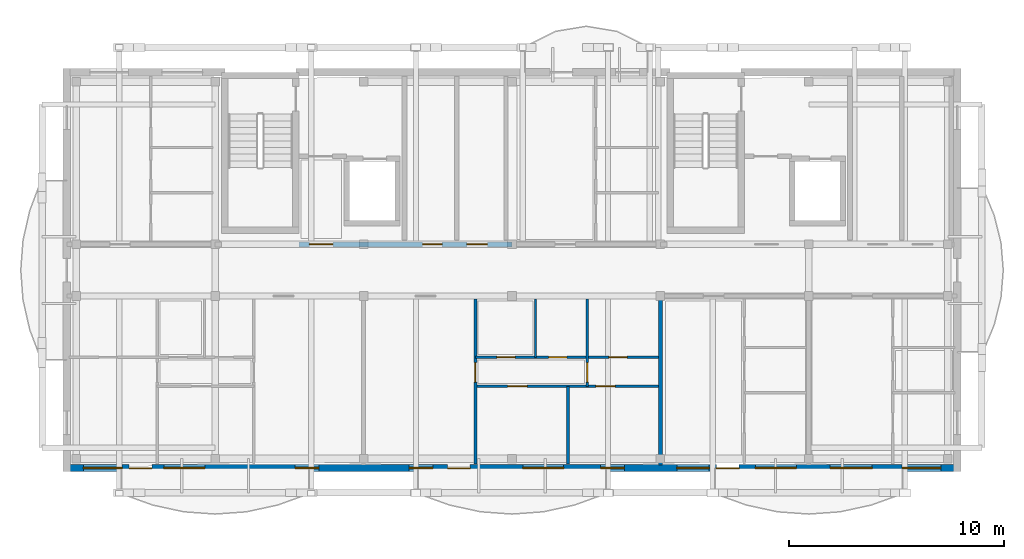
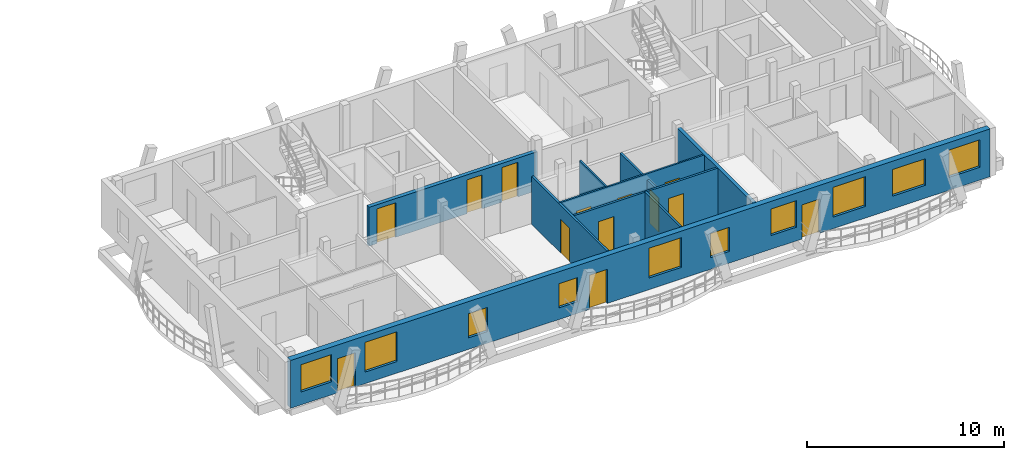
# One storey, part 7 of 18: 13 doors, 10 windows, 9 walls, 23 openings.
"""IFC4 building model written with IfcOpenShell, lengths in metres."""

import ifcopenshell
import ifcopenshell.guid

model = None  # the IFC model being written
_history = None  # IfcOwnerHistory: only IFC2X3 demands one
_inside = {}  # id of a spatial element -> (the spatial element, [elements in it])
_under = {}  # id of a project, library or spatial element -> (it, [spatial elements below it])
_declared = {}  # id of a project -> (the project, [libraries it declares])
_typed = {}  # id of a type object -> (the type object, [elements of that type])
_made_of = {}  # id of a material, layer set ... -> (it, [elements and type objects made of it])


def new_model(schema):
    """Start an empty IFC model of exactly this schema.

    Asked for "IFC4X3", IfcOpenShell would pick the latest addendum, in which some entities
    have other attributes; the version numbers below select the first issue.
    IFC2X3 requires an IfcOwnerHistory on every rooted entity: one is made here for all.
    """
    global model, _history
    if schema == "IFC4X3":
        model = ifcopenshell.file(schema_version=(4, 3, 0, 0))
    else:
        model = ifcopenshell.file(schema=schema)
    _inside.clear()
    _under.clear()
    _declared.clear()
    _typed.clear()
    _made_of.clear()
    _history = None
    if model.schema == "IFC2X3":
        org = make("IfcOrganization", Name="unknown")
        user = make(
            "IfcPersonAndOrganization",
            ThePerson=make("IfcPerson", FamilyName="unknown"),
            TheOrganization=org,
        )
        app = make(
            "IfcApplication",
            ApplicationDeveloper=org,
            Version="unknown",
            ApplicationFullName="unknown",
            ApplicationIdentifier="unknown",
        )
        _history = make(
            "IfcOwnerHistory",
            OwningUser=user,
            OwningApplication=app,
            ChangeAction="ADDED",
            CreationDate=0,
        )
    return model


def make(cls, **values):
    """One entity of the class cls with the attributes given. An attribute that is None is left unset."""
    return model.create_entity(
        cls, **{name: value for name, value in values.items() if value is not None}
    )


def rooted(cls, **values):
    """An entity with a GlobalId (a new one), such as an element, a storey or a relation."""
    return make(cls, GlobalId=ifcopenshell.guid.new(), OwnerHistory=_history, **values)


def si_unit(unit_type, name, prefix=None):
    """IfcSIUnit, for example si_unit("LENGTHUNIT", "METRE", prefix="MILLI")."""
    return make("IfcSIUnit", UnitType=unit_type, Prefix=prefix, Name=name)


def assignment(units):
    """IfcUnitAssignment: the units of a project."""
    return None if units is None else make("IfcUnitAssignment", Units=units)


def point(xyz):
    """IfcCartesianPoint."""
    return None if xyz is None else make("IfcCartesianPoint", Coordinates=xyz)


def direction(xyz):
    """IfcDirection."""
    return None if xyz is None else make("IfcDirection", DirectionRatios=xyz)


def frame(location, z_axis=None, x_axis=None):
    """IfcAxis2Placement3D, a coordinate frame: its origin and axes. An axis left out is left unset."""
    return make(
        "IfcAxis2Placement3D",
        Location=point(location),
        Axis=direction(z_axis),
        RefDirection=direction(x_axis),
    )


def frame_2d(location, x_axis=None):
    """IfcAxis2Placement2D, a coordinate frame in the plane: its origin and x axis."""
    return make(
        "IfcAxis2Placement2D", Location=point(location), RefDirection=direction(x_axis)
    )


def origin():
    """The frame at (0, 0, 0) with its axes left unset."""
    return frame((0.0, 0.0, 0.0))


def origin_with_axes():
    """The frame at (0, 0, 0) with the z axis (0, 0, 1) and the x axis (1, 0, 0) written out."""
    return frame((0.0, 0.0, 0.0), z_axis=(0.0, 0.0, 1.0), x_axis=(1.0, 0.0, 0.0))


def place(relative_to, where):
    """IfcLocalPlacement: puts the frame where relative to a parent placement (None: the world)."""
    return make(
        "IfcLocalPlacement", PlacementRelTo=relative_to, RelativePlacement=where
    )


def context(
    kind, dimensions, precision=None, world=None, true_north=None, identifier=None
):
    """IfcGeometricRepresentationContext, for example the 3D "Model" context."""
    return make(
        "IfcGeometricRepresentationContext",
        ContextIdentifier=identifier,
        ContextType=kind,
        CoordinateSpaceDimension=dimensions,
        Precision=precision,
        WorldCoordinateSystem=world,
        TrueNorth=true_north,
    )


def subcontext(parent, identifier, kind, view, scale=None):
    """IfcGeometricRepresentationSubContext, for example "Body" below "Model"."""
    return make(
        "IfcGeometricRepresentationSubContext",
        ContextIdentifier=identifier,
        ContextType=kind,
        ParentContext=parent,
        TargetScale=scale,
        TargetView=view,
    )


def project(units=None, contexts=None):
    """IfcProject with its units and contexts."""
    return rooted(
        "IfcProject",
        Name="project",
        RepresentationContexts=contexts,
        UnitsInContext=assignment(units),
    )


def spatial(cls, under=None, at=None, **own):
    """A site, building, storey or space (cls), placed at a placement, below another one or the project."""
    s = rooted(cls, ObjectPlacement=at, **own)
    if under is not None:
        _under.setdefault(under.id(), (under, []))[1].append(s)
    return s


def profile(cls, at=None, kind="AREA", **sizes):
    """A parametric profile (cls). Its sizes go by their IFC names, for example OverallWidth=200.0."""
    return make(cls, ProfileType=kind, Position=at, **sizes)


def rectangle(**sizes):
    """IfcRectangleProfileDef."""
    return profile("IfcRectangleProfileDef", **sizes)


def extrude(swept, where, along, depth):
    """IfcExtrudedAreaSolid: the profile swept, set in the frame where, extruded along a direction by depth."""
    return make(
        "IfcExtrudedAreaSolid",
        SweptArea=swept,
        Position=where,
        ExtrudedDirection=direction(along),
        Depth=depth,
    )


def shape(context_of_items, identifier, shape_type, items):
    """IfcShapeRepresentation: the items that make up one representation, for example the "Body"."""
    return make(
        "IfcShapeRepresentation",
        ContextOfItems=context_of_items,
        RepresentationIdentifier=identifier,
        RepresentationType=shape_type,
        Items=items,
    )


def material(Name=None, Category=None):
    """IfcMaterial."""
    return make("IfcMaterial", Name=Name, Category=Category)


def layer(
    of_material, thickness, ventilated=None, Name=None, Category=None, Priority=None
):
    """IfcMaterialLayer: one layer of a wall or slab, of a material (None: an air gap)."""
    return make(
        "IfcMaterialLayer",
        Material=of_material,
        LayerThickness=thickness,
        IsVentilated=ventilated,
        Name=Name,
        Category=Category,
        Priority=Priority,
    )


def layer_set(layers, Name=None):
    """IfcMaterialLayerSet."""
    return make("IfcMaterialLayerSet", MaterialLayers=layers, LayerSetName=Name)


def made_of(thing, what):
    """Note that an element or type object is made of a material, layer set ...; save() writes the relation."""
    if what is not None:
        _made_of.setdefault(what.id(), (what, []))[1].append(thing)
    return thing


def type_object(cls, material=None, **own):
    """A type object (cls), such as IfcWallType, which elements share."""
    return made_of(rooted(cls, **own), material)


def element(
    cls,
    number,
    at=None,
    inside=None,
    cuts=None,
    type_object=None,
    material=None,
    context=None,
    identifier="Body",
    shape_type=None,
    held_by="IfcProductDefinitionShape",
    body=None,
    shapes=None,
    **own,
):
    """One element of the class cls, such as IfcWall. Its Tag is "e" and its number.

    at: its placement. inside: the storey or other place that contains it. cuts: it is an
    opening in that element (IfcRelVoidsElement). A single representation is given by context,
    identifier, shape_type and body (its items); several are given by shapes. held_by: the class
    of the entity that holds the representations. save() writes the other relations.
    """
    e = rooted(cls, Tag="e%d" % number, ObjectPlacement=at, **own)
    if body is not None:
        shapes = [shape(context, identifier, shape_type, body)]
    if shapes is not None:
        e.Representation = make(held_by, Representations=shapes)
    if inside is not None:
        _inside.setdefault(inside.id(), (inside, []))[1].append(e)
    if cuts is not None:
        rooted(
            "IfcRelVoidsElement", RelatingBuildingElement=cuts, RelatedOpeningElement=e
        )
    if type_object is not None:
        _typed.setdefault(type_object.id(), (type_object, []))[1].append(e)
    return made_of(e, material)


def fill(opening, filler):
    """IfcRelFillsElement: the door or window that sits in an opening."""
    return rooted(
        "IfcRelFillsElement",
        RelatingOpeningElement=opening,
        RelatedBuildingElement=filler,
    )


def aggregate(whole, parts):
    """IfcRelAggregates: a whole, such as a stair, and the parts it consists of."""
    return rooted("IfcRelAggregates", RelatingObject=whole, RelatedObjects=parts)


def save(model, path):
    """Write the relations noted so far, then the file.

    IfcRelAggregates (storeys below a building ...), IfcRelContainedInSpatialStructure (elements
    in a storey), IfcRelDefinesByType, IfcRelAssociatesMaterial and IfcRelDeclares: one each for
    every whole, place, type object, material and project.
    """
    for whole, parts in _under.values():
        aggregate(whole, parts)
    for where, things in _inside.values():
        rooted(
            "IfcRelContainedInSpatialStructure",
            RelatedElements=things,
            RelatingStructure=where,
        )
    for kind, things in _typed.values():
        rooted("IfcRelDefinesByType", RelatedObjects=things, RelatingType=kind)
    for what, things in _made_of.values():
        rooted("IfcRelAssociatesMaterial", RelatedObjects=things, RelatingMaterial=what)
    for by, libraries in _declared.values():
        rooted("IfcRelDeclares", RelatingContext=by, RelatedDefinitions=libraries)
    model.write(path)


model = new_model("IFC4")

# Units and contexts
model_context = context("Model", 3, precision=1e-05, world=origin(), true_north=direction((0.0, 1.0)))
body_context = subcontext(model_context, "Body", "Model", "MODEL_VIEW")
ifc_project = project(units=[si_unit("LENGTHUNIT", "METRE"), si_unit("AREAUNIT", "SQUARE_METRE"), si_unit("VOLUMEUNIT", "CUBIC_METRE"), si_unit("PLANEANGLEUNIT", "RADIAN"), si_unit("MASSUNIT", "GRAM", prefix="KILO")], contexts=[model_context])

# Site, building, storey
site_placement = place(None, origin())
site = spatial("IfcSite", under=ifc_project, at=site_placement, CompositionType="ELEMENT")
building_placement = place(site_placement, origin())
building = spatial("IfcBuilding", under=site, at=building_placement, Name="Zavelmont Quarter", CompositionType="ELEMENT")
storey_placement = place(building_placement, frame((0.0, 0.0, 40.0)))
storey = spatial("IfcBuildingStorey", under=building, at=storey_placement, Name="L12", CompositionType="ELEMENT", Elevation=40.0)

# Wall, openings, doors, windows
ifc_material_1 = material(Name="Natural Belgian limestone", Category="masonry")
ifc_layer_1 = layer(ifc_material_1, 0.340087890625)
ifc_layer_set_1 = layer_set([ifc_layer_1], Name="Natural Belgian limestone")
wall_type_1 = type_object("IfcWallType", Name="EW03", PredefinedType="STANDARD", material=ifc_layer_set_1)
wall_1_placement = place(storey_placement, frame((0.159912109375, 0.0, 0.0), z_axis=(0.0, 0.0, 1.0), x_axis=(1.0, 0.0, 0.0)))
wall_1 = element("IfcWall", 1, at=wall_1_placement, inside=storey, type_object=wall_type_1, Name="L12 exterior limestone wall EW03", PredefinedType="STANDARD", context=body_context, shape_type="SweptSolid", body=[
    extrude(rectangle(XDim=41.080078125, YDim=0.340087890625, at=frame_2d((20.5400390625, 0.0))), origin(), (0.0, 0.0, 1.0), 2.969970703125),
])
opening_1_placement = place(wall_1_placement, frame((2.7451171875, 0.0, 0.0)))
opening_1 = element("IfcOpeningElement", 2, at=opening_1_placement, cuts=wall_1, Name="Opening DR04A", PredefinedType="OPENING", context=body_context, shape_type="SweptSolid", body=[
    extrude(rectangle(XDim=1.050048828125, YDim=2.1201171875, at=frame_2d((0.52490234375, 1.06005859375))), frame((0.0, 0.18212890625, 0.0), z_axis=(0.0, -1.0, 0.0), x_axis=(1.0, 0.0, 0.0)), (0.0, 0.0, 1.0), 0.364013671875),
])
opening_2_placement = place(wall_1_placement, frame((17.544921875, 0.0, 0.0)))
opening_2 = element("IfcOpeningElement", 3, at=opening_2_placement, cuts=wall_1, Name="Opening DR04A", PredefinedType="OPENING", context=body_context, shape_type="SweptSolid", body=[
    extrude(rectangle(XDim=1.050048828125, YDim=2.1201171875, at=frame_2d((0.52490234375, 1.06005859375))), frame((0.0, 0.18212890625, 0.0), z_axis=(0.0, -1.0, 0.0), x_axis=(1.0, 0.0, 0.0)), (0.0, 0.0, 1.0), 0.364013671875),
])
opening_3_placement = place(wall_1_placement, frame((30.044921875, 0.0, 0.0)))
opening_3 = element("IfcOpeningElement", 4, at=opening_3_placement, cuts=wall_1, Name="Opening DR04A", PredefinedType="OPENING", context=body_context, shape_type="SweptSolid", body=[
    extrude(rectangle(XDim=1.050048828125, YDim=2.1201171875, at=frame_2d((0.52490234375, 1.06005859375))), frame((0.0, 0.18212890625, 0.0), z_axis=(0.0, -1.0, 0.0), x_axis=(1.0, 0.0, 0.0)), (0.0, 0.0, 1.0), 0.364013671875),
])
opening_4_placement = place(wall_1_placement, frame((0.610107421875, 0.0, 0.800048828125)))
opening_4 = element("IfcOpeningElement", 5, at=opening_4_placement, cuts=wall_1, Name="Opening WN02", PredefinedType="OPENING", context=body_context, shape_type="SweptSolid", body=[
    extrude(rectangle(XDim=1.800048828125, YDim=1.699951171875, at=frame_2d((0.89990234375, 0.85009765625))), frame((0.0, 0.18212890625, 0.0), z_axis=(0.0, -1.0, 0.0), x_axis=(1.0, 0.0, 0.0)), (0.0, 0.0, 1.0), 0.364013671875),
])
opening_5_placement = place(wall_1_placement, frame((4.360107421875, 0.0, 0.719970703125)))
opening_5 = element("IfcOpeningElement", 6, at=opening_5_placement, cuts=wall_1, Name="Opening WN20", PredefinedType="OPENING", context=body_context, shape_type="SweptSolid", body=[
    extrude(rectangle(XDim=1.89990234375, YDim=1.85009765625, at=frame_2d((0.949951171875, 0.925048828125))), frame((0.0, 0.18212890625, 0.0), z_axis=(0.0, -1.0, 0.0), x_axis=(1.0, 0.0, 0.0)), (0.0, 0.0, 1.0), 0.364013671875),
])
opening_6_placement = place(wall_1_placement, frame((10.4599609375, 0.0, 0.719970703125)))
opening_6 = element("IfcOpeningElement", 7, at=opening_6_placement, cuts=wall_1, Name="Opening WN09", PredefinedType="OPENING", context=body_context, shape_type="SweptSolid", body=[
    extrude(rectangle(XDim=1.10009765625, YDim=1.5, at=frame_2d((0.550048828125, 0.75))), frame((0.0, 0.18212890625, 0.0), z_axis=(0.0, -1.0, 0.0), x_axis=(1.0, 0.0, 0.0)), (0.0, 0.0, 1.0), 0.364013671875),
])
opening_7_placement = place(wall_1_placement, frame((15.760009765625, 0.0, 0.719970703125)))
opening_7 = element("IfcOpeningElement", 8, at=opening_7_placement, cuts=wall_1, Name="Opening WN09", PredefinedType="OPENING", context=body_context, shape_type="SweptSolid", body=[
    extrude(rectangle(XDim=1.10009765625, YDim=1.5, at=frame_2d((0.550048828125, 0.75))), frame((0.0, 0.18212890625, 0.0), z_axis=(0.0, -1.0, 0.0), x_axis=(1.0, 0.0, 0.0)), (0.0, 0.0, 1.0), 0.364013671875),
])
opening_8_placement = place(wall_1_placement, frame((21.04248046875, 0.0, 0.719970703125)))
opening_8 = element("IfcOpeningElement", 9, at=opening_8_placement, cuts=wall_1, Name="Opening WN20", PredefinedType="OPENING", context=body_context, shape_type="SweptSolid", body=[
    extrude(rectangle(XDim=1.89990234375, YDim=1.85009765625, at=frame_2d((0.949951171875, 0.925048828125))), frame((0.0, 0.18212890625, 0.0), z_axis=(0.0, -1.0, 0.0), x_axis=(1.0, 0.0, 0.0)), (0.0, 0.0, 1.0), 0.364013671875),
])
opening_9_placement = place(wall_1_placement, frame((24.659912109375, 0.0, 0.719970703125)))
opening_9 = element("IfcOpeningElement", 10, at=opening_9_placement, cuts=wall_1, Name="Opening WN09", PredefinedType="OPENING", context=body_context, shape_type="SweptSolid", body=[
    extrude(rectangle(XDim=1.10009765625, YDim=1.5, at=frame_2d((0.550048828125, 0.75))), frame((0.0, 0.18212890625, 0.0), z_axis=(0.0, -1.0, 0.0), x_axis=(1.0, 0.0, 0.0)), (0.0, 0.0, 1.0), 0.364013671875),
])
opening_10_placement = place(wall_1_placement, frame((28.2099609375, 0.0, 0.85009765625)))
opening_10 = element("IfcOpeningElement", 11, at=opening_10_placement, cuts=wall_1, Name="Opening WN01", PredefinedType="OPENING", context=body_context, shape_type="SweptSolid", body=[
    extrude(rectangle(XDim=1.5, YDim=1.64990234375, at=frame_2d((0.75, 0.824951171875))), frame((0.0, 0.18212890625, 0.0), z_axis=(0.0, -1.0, 0.0), x_axis=(1.0, 0.0, 0.0)), (0.0, 0.0, 1.0), 0.364013671875),
])
opening_11_placement = place(wall_1_placement, frame((31.860107421875, 0.0, 0.719970703125)))
opening_11 = element("IfcOpeningElement", 12, at=opening_11_placement, cuts=wall_1, Name="Opening WN20", PredefinedType="OPENING", context=body_context, shape_type="SweptSolid", body=[
    extrude(rectangle(XDim=1.89990234375, YDim=1.85009765625, at=frame_2d((0.949951171875, 0.925048828125))), frame((0.0, 0.18212890625, 0.0), z_axis=(0.0, -1.0, 0.0), x_axis=(1.0, 0.0, 0.0)), (0.0, 0.0, 1.0), 0.364013671875),
])
opening_12_placement = place(wall_1_placement, frame((35.3349609375, 0.0, 0.800048828125)))
opening_12 = element("IfcOpeningElement", 13, at=opening_12_placement, cuts=wall_1, Name="Opening WN24", PredefinedType="OPENING", context=body_context, shape_type="SweptSolid", body=[
    extrude(rectangle(XDim=1.949951171875, YDim=1.64990234375, at=frame_2d((0.97509765625, 0.824951171875))), frame((0.0, 0.18212890625, 0.0), z_axis=(0.0, -1.0, 0.0), x_axis=(1.0, 0.0, 0.0)), (0.0, 0.0, 1.0), 0.364013671875),
])
opening_13_placement = place(wall_1_placement, frame((38.675048828125, 0.0, 0.800048828125)))
opening_13 = element("IfcOpeningElement", 14, at=opening_13_placement, cuts=wall_1, Name="Opening WN02", PredefinedType="OPENING", context=body_context, shape_type="SweptSolid", body=[
    extrude(rectangle(XDim=1.800048828125, YDim=1.699951171875, at=frame_2d((0.89990234375, 0.85009765625))), frame((0.0, 0.18212890625, 0.0), z_axis=(0.0, -1.0, 0.0), x_axis=(1.0, 0.0, 0.0)), (0.0, 0.0, 1.0), 0.364013671875),
])
ifc_material_2 = material(Name="Thermally broken aluminium and double safety glass", Category="aluminium")
door_type_1 = type_object("IfcDoorType", Name="DR04A", OperationType="NOTDEFINED", PredefinedType="DOOR", material=ifc_material_2)
door_1_placement = place(opening_1_placement, origin_with_axes())
door_1 = element("IfcDoor", 15, at=door_1_placement, inside=storey, type_object=door_type_1, Name="Block A L12 glazed balcony door", OperationType="SINGLE_SWING_RIGHT", OverallHeight=2.1201171875, OverallWidth=1.050048828125, PredefinedType="DOOR", context=body_context, shape_type="SweptSolid", body=[
    extrude(rectangle(XDim=1.050048828125, YDim=2.1201171875, at=frame_2d((0.52490234375, 1.06005859375))), frame((0.0, 0.02490234375, 0.0), z_axis=(0.0, -1.0, 0.0), x_axis=(1.0, 0.0, 0.0)), (0.0, 0.0, 1.0), 0.050048828125),
])
fill(opening_1, door_1)
door_2_placement = place(opening_2_placement, origin_with_axes())
door_2 = element("IfcDoor", 16, at=door_2_placement, inside=storey, type_object=door_type_1, Name="Block A L12 glazed balcony door", OperationType="SINGLE_SWING_RIGHT", OverallHeight=2.1201171875, OverallWidth=1.050048828125, PredefinedType="DOOR", context=body_context, shape_type="SweptSolid", body=[
    extrude(rectangle(XDim=1.050048828125, YDim=2.1201171875, at=frame_2d((0.52490234375, 1.06005859375))), frame((0.0, 0.02490234375, 0.0), z_axis=(0.0, -1.0, 0.0), x_axis=(1.0, 0.0, 0.0)), (0.0, 0.0, 1.0), 0.050048828125),
])
fill(opening_2, door_2)
door_3_placement = place(opening_3_placement, origin_with_axes())
door_3 = element("IfcDoor", 17, at=door_3_placement, inside=storey, type_object=door_type_1, Name="Block A L12 glazed balcony door", OperationType="SINGLE_SWING_RIGHT", OverallHeight=2.1201171875, OverallWidth=1.050048828125, PredefinedType="DOOR", context=body_context, shape_type="SweptSolid", body=[
    extrude(rectangle(XDim=1.050048828125, YDim=2.1201171875, at=frame_2d((0.52490234375, 1.06005859375))), frame((0.0, 0.02490234375, 0.0), z_axis=(0.0, -1.0, 0.0), x_axis=(1.0, 0.0, 0.0)), (0.0, 0.0, 1.0), 0.050048828125),
])
fill(opening_3, door_3)
ifc_material_3 = material(Name="Double low-E insulated glazing in thermally broken aluminium frame", Category="aluminium")
window_type_1 = type_object("IfcWindowType", Name="WN01", PartitioningType="SINGLE_PANEL", PredefinedType="WINDOW", material=ifc_material_3)
window_1_placement = place(opening_10_placement, origin_with_axes())
window_1 = element("IfcWindow", 18, at=window_1_placement, inside=storey, type_object=window_type_1, Name="L12 window WN01", OverallHeight=1.64990234375, OverallWidth=1.5, PartitioningType="SINGLE_PANEL", PredefinedType="WINDOW", context=body_context, shape_type="SweptSolid", body=[
    extrude(rectangle(XDim=1.5, YDim=1.64990234375, at=frame_2d((0.75, 0.824951171875))), frame((0.0, 0.030029296875, 0.0), z_axis=(0.0, -1.0, 0.0), x_axis=(1.0, 0.0, 0.0)), (0.0, 0.0, 1.0), 0.06005859375),
])
fill(opening_10, window_1)
window_type_2 = type_object("IfcWindowType", Name="WN02", PartitioningType="SINGLE_PANEL", PredefinedType="WINDOW", material=ifc_material_3)
window_2_placement = place(opening_4_placement, origin_with_axes())
window_2 = element("IfcWindow", 19, at=window_2_placement, inside=storey, type_object=window_type_2, Name="L12 window WN02", OverallHeight=1.699951171875, OverallWidth=1.800048828125, PartitioningType="SINGLE_PANEL", PredefinedType="WINDOW", context=body_context, shape_type="SweptSolid", body=[
    extrude(rectangle(XDim=1.800048828125, YDim=1.699951171875, at=frame_2d((0.89990234375, 0.85009765625))), frame((0.0, 0.030029296875, 0.0), z_axis=(0.0, -1.0, 0.0), x_axis=(1.0, 0.0, 0.0)), (0.0, 0.0, 1.0), 0.06005859375),
])
fill(opening_4, window_2)
window_3_placement = place(opening_13_placement, origin_with_axes())
window_3 = element("IfcWindow", 20, at=window_3_placement, inside=storey, type_object=window_type_2, Name="L12 window WN02", OverallHeight=1.699951171875, OverallWidth=1.800048828125, PartitioningType="SINGLE_PANEL", PredefinedType="WINDOW", context=body_context, shape_type="SweptSolid", body=[
    extrude(rectangle(XDim=1.800048828125, YDim=1.699951171875, at=frame_2d((0.89990234375, 0.85009765625))), frame((0.0, 0.030029296875, 0.0), z_axis=(0.0, -1.0, 0.0), x_axis=(1.0, 0.0, 0.0)), (0.0, 0.0, 1.0), 0.06005859375),
])
fill(opening_13, window_3)
window_type_3 = type_object("IfcWindowType", Name="WN09", PartitioningType="SINGLE_PANEL", PredefinedType="WINDOW", material=ifc_material_3)
window_4_placement = place(opening_6_placement, origin_with_axes())
window_4 = element("IfcWindow", 21, at=window_4_placement, inside=storey, type_object=window_type_3, Name="L12 window WN09", OverallHeight=1.5, OverallWidth=1.10009765625, PartitioningType="SINGLE_PANEL", PredefinedType="WINDOW", context=body_context, shape_type="SweptSolid", body=[
    extrude(rectangle(XDim=1.10009765625, YDim=1.5, at=frame_2d((0.550048828125, 0.75))), frame((0.0, 0.030029296875, 0.0), z_axis=(0.0, -1.0, 0.0), x_axis=(1.0, 0.0, 0.0)), (0.0, 0.0, 1.0), 0.06005859375),
])
fill(opening_6, window_4)
window_5_placement = place(opening_7_placement, origin_with_axes())
window_5 = element("IfcWindow", 22, at=window_5_placement, inside=storey, type_object=window_type_3, Name="L12 window WN09", OverallHeight=1.5, OverallWidth=1.10009765625, PartitioningType="SINGLE_PANEL", PredefinedType="WINDOW", context=body_context, shape_type="SweptSolid", body=[
    extrude(rectangle(XDim=1.10009765625, YDim=1.5, at=frame_2d((0.550048828125, 0.75))), frame((0.0, 0.030029296875, 0.0), z_axis=(0.0, -1.0, 0.0), x_axis=(1.0, 0.0, 0.0)), (0.0, 0.0, 1.0), 0.06005859375),
])
fill(opening_7, window_5)
window_6_placement = place(opening_9_placement, origin_with_axes())
window_6 = element("IfcWindow", 23, at=window_6_placement, inside=storey, type_object=window_type_3, Name="L12 window WN09", OverallHeight=1.5, OverallWidth=1.10009765625, PartitioningType="SINGLE_PANEL", PredefinedType="WINDOW", context=body_context, shape_type="SweptSolid", body=[
    extrude(rectangle(XDim=1.10009765625, YDim=1.5, at=frame_2d((0.550048828125, 0.75))), frame((0.0, 0.030029296875, 0.0), z_axis=(0.0, -1.0, 0.0), x_axis=(1.0, 0.0, 0.0)), (0.0, 0.0, 1.0), 0.06005859375),
])
fill(opening_9, window_6)
window_type_4 = type_object("IfcWindowType", Name="WN20", PartitioningType="SINGLE_PANEL", PredefinedType="WINDOW", material=ifc_material_3)
window_7_placement = place(opening_5_placement, origin_with_axes())
window_7 = element("IfcWindow", 24, at=window_7_placement, inside=storey, type_object=window_type_4, Name="L12 window WN20", OverallHeight=1.85009765625, OverallWidth=1.89990234375, PartitioningType="SINGLE_PANEL", PredefinedType="WINDOW", context=body_context, shape_type="SweptSolid", body=[
    extrude(rectangle(XDim=1.89990234375, YDim=1.85009765625, at=frame_2d((0.949951171875, 0.925048828125))), frame((0.0, 0.030029296875, 0.0), z_axis=(0.0, -1.0, 0.0), x_axis=(1.0, 0.0, 0.0)), (0.0, 0.0, 1.0), 0.06005859375),
])
fill(opening_5, window_7)
window_8_placement = place(opening_8_placement, origin_with_axes())
window_8 = element("IfcWindow", 25, at=window_8_placement, inside=storey, type_object=window_type_4, Name="L12 window WN20", OverallHeight=1.85009765625, OverallWidth=1.89990234375, PartitioningType="SINGLE_PANEL", PredefinedType="WINDOW", context=body_context, shape_type="SweptSolid", body=[
    extrude(rectangle(XDim=1.89990234375, YDim=1.85009765625, at=frame_2d((0.949951171875, 0.925048828125))), frame((0.0, 0.030029296875, 0.0), z_axis=(0.0, -1.0, 0.0), x_axis=(1.0, 0.0, 0.0)), (0.0, 0.0, 1.0), 0.06005859375),
])
fill(opening_8, window_8)
window_9_placement = place(opening_11_placement, origin_with_axes())
window_9 = element("IfcWindow", 26, at=window_9_placement, inside=storey, type_object=window_type_4, Name="L12 window WN20", OverallHeight=1.85009765625, OverallWidth=1.89990234375, PartitioningType="SINGLE_PANEL", PredefinedType="WINDOW", context=body_context, shape_type="SweptSolid", body=[
    extrude(rectangle(XDim=1.89990234375, YDim=1.85009765625, at=frame_2d((0.949951171875, 0.925048828125))), frame((0.0, 0.030029296875, 0.0), z_axis=(0.0, -1.0, 0.0), x_axis=(1.0, 0.0, 0.0)), (0.0, 0.0, 1.0), 0.06005859375),
])
fill(opening_11, window_9)
window_type_5 = type_object("IfcWindowType", Name="WN24", PartitioningType="SINGLE_PANEL", PredefinedType="WINDOW", material=ifc_material_3)
window_10_placement = place(opening_12_placement, origin_with_axes())
window_10 = element("IfcWindow", 27, at=window_10_placement, inside=storey, type_object=window_type_5, Name="L12 window WN24", OverallHeight=1.64990234375, OverallWidth=1.949951171875, PartitioningType="SINGLE_PANEL", PredefinedType="WINDOW", context=body_context, shape_type="SweptSolid", body=[
    extrude(rectangle(XDim=1.949951171875, YDim=1.64990234375, at=frame_2d((0.97509765625, 0.824951171875))), frame((0.0, 0.030029296875, 0.0), z_axis=(0.0, -1.0, 0.0), x_axis=(1.0, 0.0, 0.0)), (0.0, 0.0, 1.0), 0.06005859375),
])
fill(opening_12, window_10)

# Wall
ifc_material_4 = material(Name="Calcium-silicate blockwork and acoustic plaster", Category="masonry")
ifc_layer_2 = layer(ifc_material_4, 0.199951171875)
ifc_layer_set_2 = layer_set([ifc_layer_2], Name="Calcium-silicate blockwork and acoustic plaster")
wall_type_2 = type_object("IfcWallType", Name="IW01", PredefinedType="PARTITIONING", material=ifc_layer_set_2)
wall_2_placement = place(storey_placement, frame((27.60009765625, 7.85009765625, 0.0), z_axis=(0.0, 0.0, 1.0), x_axis=(0.0, -1.0, 0.0)))
element("IfcWall", 28, at=wall_2_placement, inside=storey, type_object=wall_type_2, Name="L12 Inter-dwelling compartment wall IW01", PredefinedType="PARTITIONING", context=body_context, shape_type="SweptSolid", body=[
    extrude(rectangle(XDim=7.7001953125, YDim=0.199951171875, at=frame_2d((3.85009765625, 0.0))), origin(), (0.0, 0.0, 1.0), 2.969970703125),
])

# Wall, openings, doors
ifc_material_5 = material(Name="Reinforced masonry fire compartment wall", Category="masonry")
ifc_layer_3 = layer(ifc_material_5, 0.22509765625)
ifc_layer_set_3 = layer_set([ifc_layer_3], Name="Reinforced masonry fire compartment wall")
wall_type_3 = type_object("IfcWallType", Name="IW02", PredefinedType="PARTITIONING", material=ifc_layer_set_3)
wall_3_placement = place(storey_placement, frame((10.800048828125, 10.39990234375, 0.0), z_axis=(0.0, 0.0, 1.0), x_axis=(1.0, 0.0, 0.0)))
wall_3 = element("IfcWall", 29, at=wall_3_placement, inside=storey, type_object=wall_type_3, Name="L12 Core corridor fire wall IW02", PredefinedType="PARTITIONING", context=body_context, shape_type="SweptSolid", body=[
    extrude(rectangle(XDim=9.89990234375, YDim=0.22509765625, at=frame_2d((4.949951171875, 0.0))), origin(), (0.0, 0.0, 1.0), 2.409912109375),
])
opening_14_placement = place(wall_3_placement, frame((0.47509765625, 0.0, 0.0)))
opening_14 = element("IfcOpeningElement", 30, at=opening_14_placement, cuts=wall_3, Name="Opening DR10", PredefinedType="OPENING", context=body_context, shape_type="SweptSolid", body=[
    extrude(rectangle(XDim=1.10009765625, YDim=2.14990234375, at=frame_2d((0.550048828125, 1.074951171875))), frame((0.0, 0.12451171875, 0.0), z_axis=(0.0, -1.0, 0.0), x_axis=(1.0, 0.0, 0.0)), (0.0, 0.0, 1.0), 0.2490234375),
])
opening_15_placement = place(wall_3_placement, frame((5.75, 0.0, 0.0)))
opening_15 = element("IfcOpeningElement", 31, at=opening_15_placement, cuts=wall_3, Name="Opening DR11", PredefinedType="OPENING", context=body_context, shape_type="SweptSolid", body=[
    extrude(rectangle(XDim=0.89990234375, YDim=2.10009765625, at=frame_2d((0.449951171875, 1.050048828125))), frame((0.0, 0.12451171875, 0.0), z_axis=(0.0, -1.0, 0.0), x_axis=(1.0, 0.0, 0.0)), (0.0, 0.0, 1.0), 0.2490234375),
])
opening_16_placement = place(wall_3_placement, frame((7.800048828125, 0.0, 0.0)))
opening_16 = element("IfcOpeningElement", 32, at=opening_16_placement, cuts=wall_3, Name="Opening DR02", PredefinedType="OPENING", context=body_context, shape_type="SweptSolid", body=[
    extrude(rectangle(XDim=0.949951171875, YDim=2.14990234375, at=frame_2d((0.47509765625, 1.074951171875))), frame((0.0, 0.12451171875, 0.0), z_axis=(0.0, -1.0, 0.0), x_axis=(1.0, 0.0, 0.0)), (0.0, 0.0, 1.0), 0.2490234375),
])
ifc_material_6 = material(Name="Solid-core oak fire leaf in steel frame", Category="steel")
door_type_2 = type_object("IfcDoorType", Name="DR02", OperationType="NOTDEFINED", PredefinedType="DOOR", material=ifc_material_6)
door_4_placement = place(opening_16_placement, frame((0.949951171875, 0.0, 0.0), z_axis=(0.0, 0.0, 1.0), x_axis=(-1.0, 0.0, 0.0)))
door_4 = element("IfcDoor", 33, at=door_4_placement, inside=storey, type_object=door_type_2, Name="Auxiliary store corridor door", OperationType="SINGLE_SWING_RIGHT", OverallHeight=2.14990234375, OverallWidth=0.949951171875, PredefinedType="DOOR", context=body_context, shape_type="SweptSolid", body=[
    extrude(rectangle(XDim=0.949951171875, YDim=2.14990234375, at=frame_2d((0.47509765625, 1.074951171875))), frame((0.0, 0.02490234375, 0.0), z_axis=(0.0, -1.0, 0.0), x_axis=(1.0, 0.0, 0.0)), (0.0, 0.0, 1.0), 0.050048828125),
])
fill(opening_16, door_4)
ifc_material_7 = material(Name="Painted steel lobby fire door", Category="steel")
door_type_3 = type_object("IfcDoorType", Name="DR10", OperationType="NOTDEFINED", PredefinedType="DOOR", material=ifc_material_7)
door_5_placement = place(opening_14_placement, origin_with_axes())
door_5 = element("IfcDoor", 34, at=door_5_placement, inside=storey, type_object=door_type_3, Name="Core vestibule fire door", OperationType="SINGLE_SWING_LEFT", OverallHeight=2.14990234375, OverallWidth=1.10009765625, PredefinedType="DOOR", context=body_context, shape_type="SweptSolid", body=[
    extrude(rectangle(XDim=1.10009765625, YDim=2.14990234375, at=frame_2d((0.550048828125, 1.074951171875))), frame((0.0, 0.02490234375, 0.0), z_axis=(0.0, -1.0, 0.0), x_axis=(1.0, 0.0, 0.0)), (0.0, 0.0, 1.0), 0.050048828125),
])
fill(opening_14, door_5)
ifc_material_8 = material(Name="Painted steel service-riser fire door", Category="steel")
door_type_4 = type_object("IfcDoorType", Name="DR11", OperationType="NOTDEFINED", PredefinedType="DOOR", material=ifc_material_8)
door_6_placement = place(opening_15_placement, frame((0.89990234375, 0.0, 0.0), z_axis=(0.0, 0.0, 1.0), x_axis=(-1.0, 0.0, 0.0)))
door_6 = element("IfcDoor", 35, at=door_6_placement, inside=storey, type_object=door_type_4, Name="Service riser fire door", OperationType="SINGLE_SWING_LEFT", OverallHeight=2.10009765625, OverallWidth=0.89990234375, PredefinedType="DOOR", context=body_context, shape_type="SweptSolid", body=[
    extrude(rectangle(XDim=0.89990234375, YDim=2.10009765625, at=frame_2d((0.449951171875, 1.050048828125))), frame((0.0, 0.02490234375, 0.0), z_axis=(0.0, -1.0, 0.0), x_axis=(1.0, 0.0, 0.0)), (0.0, 0.0, 1.0), 0.050048828125),
])
fill(opening_15, door_6)

# Wall, opening, door
ifc_material_9 = material(Name="Double gypsum board on acoustic steel stud", Category="steel")
ifc_layer_4 = layer(ifc_material_9, 0.125)
ifc_layer_set_4 = layer_set([ifc_layer_4], Name="Double gypsum board on acoustic steel stud")
wall_type_4 = type_object("IfcWallType", Name="IW03", PredefinedType="PARTITIONING", material=ifc_layer_set_4)
wall_4_placement = place(storey_placement, frame((19.0, 7.85009765625, 0.0), z_axis=(0.0, 0.0, 1.0), x_axis=(0.0, -1.0, 0.0)))
wall_4 = element("IfcWall", 36, at=wall_4_placement, inside=storey, type_object=wall_type_4, Name="L12 Partition IW03", PredefinedType="PARTITIONING", context=body_context, shape_type="SweptSolid", body=[
    extrude(rectangle(XDim=7.650146484375, YDim=0.125, at=frame_2d((3.8251953125, 0.0))), origin(), (0.0, 0.0, 1.0), 2.969970703125),
])
opening_17_placement = place(wall_4_placement, frame((2.949951171875, 0.0, 0.0)))
opening_17 = element("IfcOpeningElement", 37, at=opening_17_placement, cuts=wall_4, Name="Opening DR05", PredefinedType="OPENING", context=body_context, shape_type="SweptSolid", body=[
    extrude(rectangle(XDim=0.89990234375, YDim=2.10009765625, at=frame_2d((0.449951171875, 1.050048828125))), frame((0.0, 0.074462890625, 0.0), z_axis=(0.0, -1.0, 0.0), x_axis=(1.0, 0.0, 0.0)), (0.0, 0.0, 1.0), 0.14892578125),
])
ifc_material_10 = material(Name="Engineered oak flush interior door")
door_type_5 = type_object("IfcDoorType", Name="DR05", OperationType="NOTDEFINED", PredefinedType="DOOR", material=ifc_material_10)
door_7_placement = place(opening_17_placement, origin_with_axes())
door_7 = element("IfcDoor", 38, at=door_7_placement, inside=storey, type_object=door_type_5, Name="L12 door DR05", OperationType="SINGLE_SWING_RIGHT", OverallHeight=2.10009765625, OverallWidth=0.89990234375, PredefinedType="DOOR", context=body_context, shape_type="SweptSolid", body=[
    extrude(rectangle(XDim=0.89990234375, YDim=2.10009765625, at=frame_2d((0.449951171875, 1.050048828125))), frame((0.0, 0.02490234375, 0.0), z_axis=(0.0, -1.0, 0.0), x_axis=(1.0, 0.0, 0.0)), (0.0, 0.0, 1.0), 0.050048828125),
])
fill(opening_17, door_7)

wall_5_placement = place(storey_placement, frame((24.199951171875, 7.85009765625, 0.0), z_axis=(0.0, 0.0, 1.0), x_axis=(0.0, -1.0, 0.0)))
wall_5 = element("IfcWall", 39, at=wall_5_placement, inside=storey, type_object=wall_type_4, Name="L12 Partition IW03", PredefinedType="PARTITIONING", context=body_context, shape_type="SweptSolid", body=[
    extrude(rectangle(XDim=4.050048828125, YDim=0.125, at=frame_2d((2.02490234375, 0.0))), origin(), (0.0, 0.0, 1.0), 2.590087890625),
])
opening_18_placement = place(wall_5_placement, frame((2.949951171875, 0.0, 0.0)))
opening_18 = element("IfcOpeningElement", 40, at=opening_18_placement, cuts=wall_5, Name="Opening DR05", PredefinedType="OPENING", context=body_context, shape_type="SweptSolid", body=[
    extrude(rectangle(XDim=0.89990234375, YDim=2.10009765625, at=frame_2d((0.449951171875, 1.050048828125))), frame((0.0, 0.074462890625, 0.0), z_axis=(0.0, -1.0, 0.0), x_axis=(1.0, 0.0, 0.0)), (0.0, 0.0, 1.0), 0.14892578125),
])
door_8_placement = place(opening_18_placement, frame((0.89990234375, 0.0, 0.0), z_axis=(0.0, 0.0, 1.0), x_axis=(-1.0, 0.0, 0.0)))
door_8 = element("IfcDoor", 41, at=door_8_placement, inside=storey, type_object=door_type_5, Name="L12 door DR05", OperationType="SINGLE_SWING_LEFT", OverallHeight=2.10009765625, OverallWidth=0.89990234375, PredefinedType="DOOR", context=body_context, shape_type="SweptSolid", body=[
    extrude(rectangle(XDim=0.89990234375, YDim=2.10009765625, at=frame_2d((0.449951171875, 1.050048828125))), frame((0.0, 0.02490234375, 0.0), z_axis=(0.0, -1.0, 0.0), x_axis=(1.0, 0.0, 0.0)), (0.0, 0.0, 1.0), 0.050048828125),
])
fill(opening_18, door_8)

# Wall
wall_6_placement = place(storey_placement, frame((23.300048828125, 3.800048828125, 0.0), z_axis=(0.0, 0.0, 1.0), x_axis=(0.0, -1.0, 0.0)))
element("IfcWall", 42, at=wall_6_placement, inside=storey, type_object=wall_type_4, Name="L12 Partition IW03", PredefinedType="PARTITIONING", context=body_context, shape_type="SweptSolid", body=[
    extrude(rectangle(XDim=3.60009765625, YDim=0.125, at=frame_2d((1.800048828125, 0.0))), origin(), (0.0, 0.0, 1.0), 2.969970703125),
])

# Wall, openings, doors
wall_7_placement = place(storey_placement, frame((19.0, 3.800048828125, 0.0), z_axis=(0.0, 0.0, 1.0), x_axis=(1.0, 0.0, 0.0)))
wall_7 = element("IfcWall", 43, at=wall_7_placement, inside=storey, type_object=wall_type_4, Name="L12 Partition IW03", PredefinedType="PARTITIONING", context=body_context, shape_type="SweptSolid", body=[
    extrude(rectangle(XDim=8.5, YDim=0.125, at=frame_2d((4.25, 0.0))), origin(), (0.0, 0.0, 1.0), 2.969970703125),
])
opening_19_placement = place(wall_7_placement, frame((1.5, 0.0, 0.0)))
opening_19 = element("IfcOpeningElement", 44, at=opening_19_placement, cuts=wall_7, Name="Opening DR05", PredefinedType="OPENING", context=body_context, shape_type="SweptSolid", body=[
    extrude(rectangle(XDim=0.89990234375, YDim=2.10009765625, at=frame_2d((0.449951171875, 1.050048828125))), frame((0.0, 0.074462890625, 0.0), z_axis=(0.0, -1.0, 0.0), x_axis=(1.0, 0.0, 0.0)), (0.0, 0.0, 1.0), 0.14892578125),
])
opening_20_placement = place(wall_7_placement, frame((5.60009765625, 0.0, 0.0)))
opening_20 = element("IfcOpeningElement", 45, at=opening_20_placement, cuts=wall_7, Name="Opening DR05", PredefinedType="OPENING", context=body_context, shape_type="SweptSolid", body=[
    extrude(rectangle(XDim=0.89990234375, YDim=2.10009765625, at=frame_2d((0.449951171875, 1.050048828125))), frame((0.0, 0.074462890625, 0.0), z_axis=(0.0, -1.0, 0.0), x_axis=(1.0, 0.0, 0.0)), (0.0, 0.0, 1.0), 0.14892578125),
])
door_9_placement = place(opening_19_placement, frame((0.89990234375, 0.0, 0.0), z_axis=(0.0, 0.0, 1.0), x_axis=(-1.0, 0.0, 0.0)))
door_9 = element("IfcDoor", 46, at=door_9_placement, inside=storey, type_object=door_type_5, Name="L12 door DR05", OperationType="SINGLE_SWING_LEFT", OverallHeight=2.10009765625, OverallWidth=0.89990234375, PredefinedType="DOOR", context=body_context, shape_type="SweptSolid", body=[
    extrude(rectangle(XDim=0.89990234375, YDim=2.10009765625, at=frame_2d((0.449951171875, 1.050048828125))), frame((0.0, 0.02490234375, 0.0), z_axis=(0.0, -1.0, 0.0), x_axis=(1.0, 0.0, 0.0)), (0.0, 0.0, 1.0), 0.050048828125),
])
fill(opening_19, door_9)
door_10_placement = place(opening_20_placement, origin_with_axes())
door_10 = element("IfcDoor", 47, at=door_10_placement, inside=storey, type_object=door_type_5, Name="L12 door DR05", OperationType="SINGLE_SWING_RIGHT", OverallHeight=2.10009765625, OverallWidth=0.89990234375, PredefinedType="DOOR", context=body_context, shape_type="SweptSolid", body=[
    extrude(rectangle(XDim=0.89990234375, YDim=2.10009765625, at=frame_2d((0.449951171875, 1.050048828125))), frame((0.0, 0.02490234375, 0.0), z_axis=(0.0, -1.0, 0.0), x_axis=(1.0, 0.0, 0.0)), (0.0, 0.0, 1.0), 0.050048828125),
])
fill(opening_20, door_10)

# Wall
ifc_material_11 = material(Name="Moisture-resistant gypsum board on steel stud", Category="steel")
ifc_layer_5 = layer(ifc_material_11, 0.10009765625)
ifc_layer_set_5 = layer_set([ifc_layer_5], Name="Moisture-resistant gypsum board on steel stud")
wall_type_5 = type_object("IfcWallType", Name="IW04", PredefinedType="PARTITIONING", material=ifc_layer_set_5)
wall_8_placement = place(storey_placement, frame((21.800048828125, 7.85009765625, 0.0), z_axis=(0.0, 0.0, 1.0), x_axis=(0.0, -1.0, 0.0)))
element("IfcWall", 48, at=wall_8_placement, inside=storey, type_object=wall_type_5, Name="L12 Partition IW04", PredefinedType="PARTITIONING", context=body_context, shape_type="SweptSolid", body=[
    extrude(rectangle(XDim=2.7001953125, YDim=0.10009765625, at=frame_2d((1.35009765625, 0.0))), origin(), (0.0, 0.0, 1.0), 2.969970703125),
])

# Wall, openings, doors
wall_9_placement = place(storey_placement, frame((19.0, 5.14990234375, 0.0), z_axis=(0.0, 0.0, 1.0), x_axis=(1.0, 0.0, 0.0)))
wall_9 = element("IfcWall", 49, at=wall_9_placement, inside=storey, type_object=wall_type_5, Name="L12 Partition IW04", PredefinedType="PARTITIONING", context=body_context, shape_type="SweptSolid", body=[
    extrude(rectangle(XDim=8.5, YDim=0.10009765625, at=frame_2d((4.25, 0.0))), origin(), (0.0, 0.0, 1.0), 2.969970703125),
])
opening_21_placement = place(wall_9_placement, frame((1.0, 0.0, 0.0)))
opening_21 = element("IfcOpeningElement", 50, at=opening_21_placement, cuts=wall_9, Name="Opening DR16", PredefinedType="OPENING", context=body_context, shape_type="SweptSolid", body=[
    extrude(rectangle(XDim=0.85009765625, YDim=2.10009765625, at=frame_2d((0.425048828125, 1.050048828125))), frame((0.0, 0.06201171875, 0.0), z_axis=(0.0, -1.0, 0.0), x_axis=(1.0, 0.0, 0.0)), (0.0, 0.0, 1.0), 0.1240234375),
])
opening_22_placement = place(wall_9_placement, frame((3.39990234375, 0.0, 0.0)))
opening_22 = element("IfcOpeningElement", 51, at=opening_22_placement, cuts=wall_9, Name="Opening DR06", PredefinedType="OPENING", context=body_context, shape_type="SweptSolid", body=[
    extrude(rectangle(XDim=0.85009765625, YDim=2.050048828125, at=frame_2d((0.425048828125, 1.02490234375))), frame((0.0, 0.06201171875, 0.0), z_axis=(0.0, -1.0, 0.0), x_axis=(1.0, 0.0, 0.0)), (0.0, 0.0, 1.0), 0.1240234375),
])
opening_23_placement = place(wall_9_placement, frame((6.199951171875, 0.0, 0.0)))
opening_23 = element("IfcOpeningElement", 52, at=opening_23_placement, cuts=wall_9, Name="Opening DR06", PredefinedType="OPENING", context=body_context, shape_type="SweptSolid", body=[
    extrude(rectangle(XDim=0.85009765625, YDim=2.050048828125, at=frame_2d((0.425048828125, 1.02490234375))), frame((0.0, 0.06201171875, 0.0), z_axis=(0.0, -1.0, 0.0), x_axis=(1.0, 0.0, 0.0)), (0.0, 0.0, 1.0), 0.1240234375),
])
ifc_material_12 = material(Name="Moisture-resistant painted wet-room door")
door_type_6 = type_object("IfcDoorType", Name="DR06", OperationType="NOTDEFINED", PredefinedType="DOOR", material=ifc_material_12)
door_11_placement = place(opening_22_placement, frame((0.85009765625, 0.0, 0.0), z_axis=(0.0, 0.0, 1.0), x_axis=(-1.0, 0.0, 0.0)))
door_11 = element("IfcDoor", 53, at=door_11_placement, inside=storey, type_object=door_type_6, Name="L12 door DR06", OperationType="SINGLE_SWING_LEFT", OverallHeight=2.050048828125, OverallWidth=0.85009765625, PredefinedType="DOOR", context=body_context, shape_type="SweptSolid", body=[
    extrude(rectangle(XDim=0.85009765625, YDim=2.050048828125, at=frame_2d((0.425048828125, 1.02490234375))), frame((0.0, 0.02490234375, 0.0), z_axis=(0.0, -1.0, 0.0), x_axis=(1.0, 0.0, 0.0)), (0.0, 0.0, 1.0), 0.050048828125),
])
fill(opening_22, door_11)
door_12_placement = place(opening_23_placement, origin_with_axes())
door_12 = element("IfcDoor", 54, at=door_12_placement, inside=storey, type_object=door_type_6, Name="L12 door DR06", OperationType="SINGLE_SWING_RIGHT", OverallHeight=2.050048828125, OverallWidth=0.85009765625, PredefinedType="DOOR", context=body_context, shape_type="SweptSolid", body=[
    extrude(rectangle(XDim=0.85009765625, YDim=2.050048828125, at=frame_2d((0.425048828125, 1.02490234375))), frame((0.0, 0.02490234375, 0.0), z_axis=(0.0, -1.0, 0.0), x_axis=(1.0, 0.0, 0.0)), (0.0, 0.0, 1.0), 0.050048828125),
])
fill(opening_23, door_12)
door_type_7 = type_object("IfcDoorType", Name="DR16", OperationType="NOTDEFINED", PredefinedType="DOOR", material=ifc_material_10)
door_13_placement = place(opening_21_placement, origin_with_axes())
door_13 = element("IfcDoor", 55, at=door_13_placement, inside=storey, type_object=door_type_7, Name="L12 door DR16", OperationType="SINGLE_SWING_RIGHT", OverallHeight=2.10009765625, OverallWidth=0.85009765625, PredefinedType="DOOR", context=body_context, shape_type="SweptSolid", body=[
    extrude(rectangle(XDim=0.85009765625, YDim=2.10009765625, at=frame_2d((0.425048828125, 1.050048828125))), frame((0.0, 0.02490234375, 0.0), z_axis=(0.0, -1.0, 0.0), x_axis=(1.0, 0.0, 0.0)), (0.0, 0.0, 1.0), 0.050048828125),
])
fill(opening_21, door_13)

save(model, "model.ifc")
